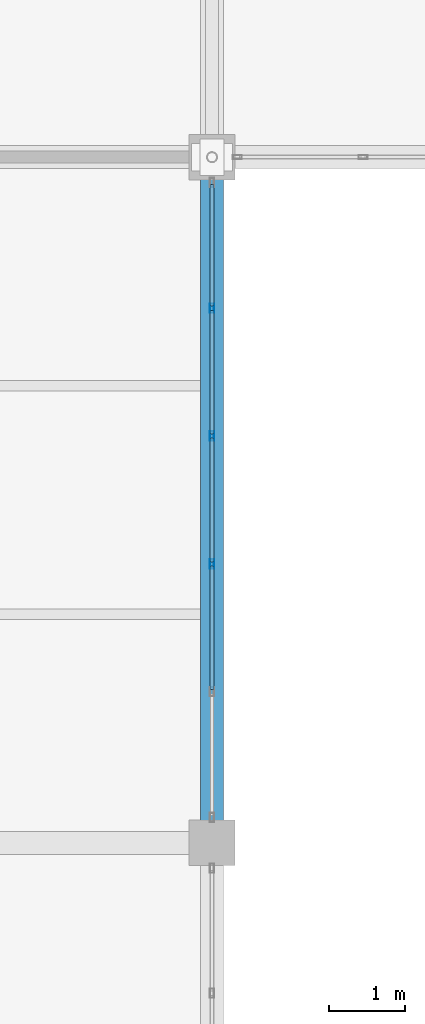
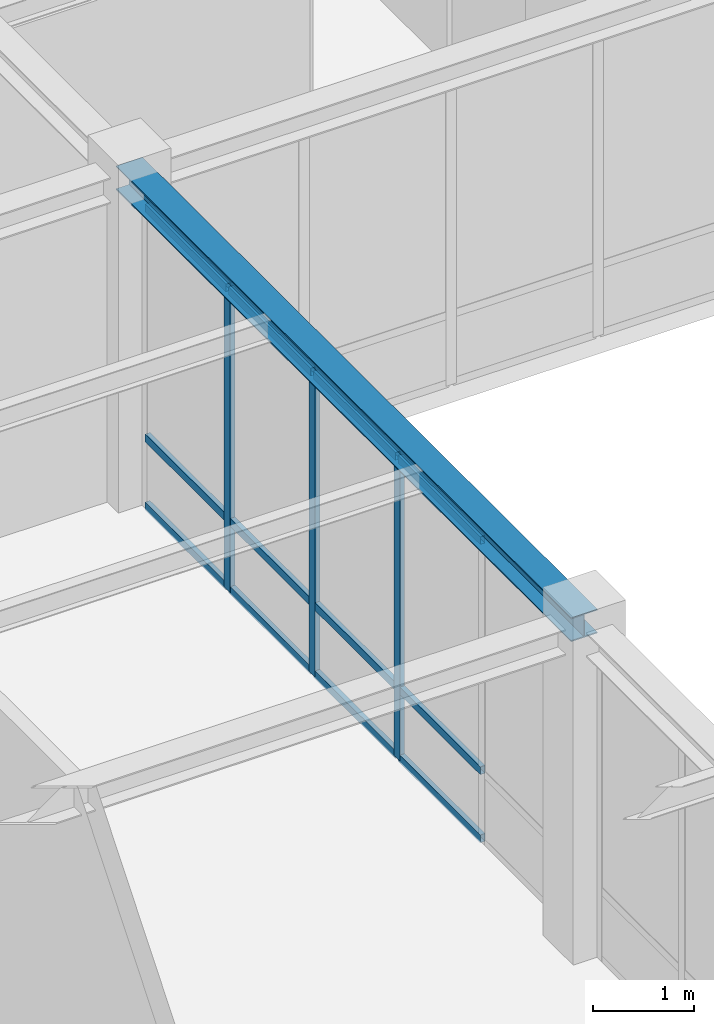
# One storey, part 36 of 130: 15 members, 1 beam, 1 element without a shape of its own.
"""IFC4 building model written with IfcOpenShell, lengths in metres."""

from ifc_helpers import new_model, si_unit, direction, frame, origin, origin_2d, place, context, subcontext, project, spatial, hollow_rectangle, i_section, extrude, material, material_profile, profile_set, type_object, element, aggregate, save


model = new_model("IFC4")

# Units and contexts
model_context = context("Model", 3, precision=1e-05, world=origin(), true_north=direction((0.0, 1.0)))
body_context = subcontext(model_context, "Body", "Model", "MODEL_VIEW")
ifc_project = project(units=[si_unit("LENGTHUNIT", "METRE"), si_unit("AREAUNIT", "SQUARE_METRE"), si_unit("VOLUMEUNIT", "CUBIC_METRE"), si_unit("PLANEANGLEUNIT", "RADIAN"), si_unit("MASSUNIT", "GRAM", prefix="KILO")], contexts=[model_context])

# Site, building, storey
site_placement = place(None, origin())
site = spatial("IfcSite", under=ifc_project, at=site_placement, CompositionType="ELEMENT")
building_placement = place(site_placement, origin())
building = spatial("IfcBuilding", under=site, at=building_placement, Name="Lykobir Media Centre", CompositionType="ELEMENT")
storey_placement = place(building_placement, frame((0.0, 0.0, 19.199951171875)))
storey = spatial("IfcBuildingStorey", under=building, at=storey_placement, Name="L04", CompositionType="ELEMENT", Elevation=19.199951171875)

# Beam
ifc_material_1 = material(Name="Steel S355", Category="steel")
ifc_material_profile_1 = material_profile(ifc_material_1, i_section(OverallWidth=0.300048828125, OverallDepth=0.2900390625, WebThickness=0.008544921875, FlangeThickness=0.013916015625, at=origin_2d()), Name="HEA 300")
ifc_profile_set_1 = profile_set([ifc_material_profile_1], Name="Steel S355")
beam_type = type_object("IfcBeamType", Name="BM-HEA300", PredefinedType="BEAM", material=ifc_profile_set_1)
beam_placement = place(storey_placement, frame((36.0, 54.0, 3.81494140625), z_axis=(0.0, 1.0, 0.0), x_axis=(-1.0, 0.0, 0.0)))
element("IfcBeam", 1, at=beam_placement, inside=storey, type_object=beam_type, Name="Beam BM-L04-0360-0540-0360-0630-2302", PredefinedType="BEAM", context=body_context, shape_type="SweptSolid", body=[
    extrude(i_section(OverallWidth=0.300048828125, OverallDepth=0.2900390625, WebThickness=0.008544921875, FlangeThickness=0.013916015625, at=origin_2d()), origin(), (0.0, 0.0, 1.0), 9.0),
])

# Curtain wall, members
ifc_material_2 = material(Name="Anodized Aluminium AW-6060", Category="aluminium")
curtain_wall_type = type_object("IfcCurtainWallType", Name="CW-COURT-B", PredefinedType="NOTDEFINED", material=ifc_material_2)
curtain_wall_placement = place(storey_placement, origin())
curtain_wall = element("IfcCurtainWall", 2, at=curtain_wall_placement, inside=storey, type_object=curtain_wall_type, Name="Curtain wall CW2-L04-0158", PredefinedType="NOTDEFINED")
ifc_material_profile_2 = material_profile(ifc_material_2, hollow_rectangle(XDim=0.054931640625, YDim=0.1201171875, WallThickness=0.003173828125, at=origin_2d()), Name="ALU MULLION 55x120")
ifc_profile_set_2 = profile_set([ifc_material_profile_2], Name="Anodized Aluminium AW-6060")
member_type_1 = type_object("IfcMemberType", Name="CWM-120", PredefinedType="MULLION", material=ifc_profile_set_2)
member_1_placement = place(storey_placement, frame((36.0, 61.01708984375, 0.0), z_axis=(0.0, 0.0, 1.0), x_axis=(1.0, 0.0, 0.0)))
member_1 = element("IfcMember", 3, at=member_1_placement, type_object=member_type_1, Name="CW2-L04-0158 mullion 2", PredefinedType="MULLION", context=body_context, shape_type="SweptSolid", body=[
    extrude(hollow_rectangle(XDim=0.054931640625, YDim=0.1201171875, WallThickness=0.003173828125, at=origin_2d()), origin(), (0.0, 0.0, 1.0), 3.655029296875),
])
member_2_placement = place(storey_placement, frame((36.0, 59.339111328125, 0.0), z_axis=(0.0, 0.0, 1.0), x_axis=(1.0, 0.0, 0.0)))
member_2 = element("IfcMember", 4, at=member_2_placement, type_object=member_type_1, Name="CW2-L04-0158 mullion 3", PredefinedType="MULLION", context=body_context, shape_type="SweptSolid", body=[
    extrude(hollow_rectangle(XDim=0.054931640625, YDim=0.1201171875, WallThickness=0.003173828125, at=origin_2d()), origin(), (0.0, 0.0, 1.0), 3.655029296875),
])
member_3_placement = place(storey_placement, frame((36.0, 57.660888671875, 0.0), z_axis=(0.0, 0.0, 1.0), x_axis=(1.0, 0.0, 0.0)))
member_3 = element("IfcMember", 5, at=member_3_placement, type_object=member_type_1, Name="CW2-L04-0158 mullion 4", PredefinedType="MULLION", context=body_context, shape_type="SweptSolid", body=[
    extrude(hollow_rectangle(XDim=0.054931640625, YDim=0.1201171875, WallThickness=0.003173828125, at=origin_2d()), origin(), (0.0, 0.0, 1.0), 3.655029296875),
])
ifc_material_profile_3 = material_profile(ifc_material_2, hollow_rectangle(XDim=0.054931640625, YDim=0.094970703125, WallThickness=0.0029296875, at=origin_2d()), Name="ALU TRANSOM 55x95")
ifc_profile_set_3 = profile_set([ifc_material_profile_3], Name="Anodized Aluminium AW-6060")
member_type_2 = type_object("IfcMemberType", Name="CWT-095", PredefinedType="USERDEFINED", material=ifc_profile_set_3)
member_4_placement = place(storey_placement, frame((36.0, 62.639892578125, 0.027587890625), z_axis=(0.0, -1.0, 0.0), x_axis=(1.0, 0.0, 0.0)))
member_4 = element("IfcMember", 6, at=member_4_placement, type_object=member_type_2, Name="CW2-L04-0158 transom 1.1", ObjectType="TRANSOM", PredefinedType="USERDEFINED", context=body_context, shape_type="SweptSolid", body=[
    extrude(hollow_rectangle(XDim=0.054931640625, YDim=0.094970703125, WallThickness=0.0029296875, at=origin_2d()), origin(), (0.0, 0.0, 1.0), 1.595458984375),
])
member_5_placement = place(storey_placement, frame((36.0, 62.639892578125, 0.85009765625), z_axis=(0.0, -1.0, 0.0), x_axis=(1.0, 0.0, 0.0)))
member_5 = element("IfcMember", 7, at=member_5_placement, type_object=member_type_2, Name="CW2-L04-0158 transom 1.2", ObjectType="TRANSOM", PredefinedType="USERDEFINED", context=body_context, shape_type="SweptSolid", body=[
    extrude(hollow_rectangle(XDim=0.054931640625, YDim=0.094970703125, WallThickness=0.0029296875, at=origin_2d()), origin(), (0.0, 0.0, 1.0), 1.595458984375),
])
member_6_placement = place(storey_placement, frame((36.0, 62.639892578125, 3.62744140625), z_axis=(0.0, -1.0, 0.0), x_axis=(1.0, 0.0, 0.0)))
member_6 = element("IfcMember", 8, at=member_6_placement, type_object=member_type_2, Name="CW2-L04-0158 transom 1.3", ObjectType="TRANSOM", PredefinedType="USERDEFINED", context=body_context, shape_type="SweptSolid", body=[
    extrude(hollow_rectangle(XDim=0.054931640625, YDim=0.094970703125, WallThickness=0.0029296875, at=origin_2d()), origin(), (0.0, 0.0, 1.0), 1.595458984375),
])
member_7_placement = place(storey_placement, frame((36.0, 60.989501953125, 0.027587890625), z_axis=(0.0, -1.0, 0.0), x_axis=(1.0, 0.0, 0.0)))
member_7 = element("IfcMember", 9, at=member_7_placement, type_object=member_type_2, Name="CW2-L04-0158 transom 2.1", ObjectType="TRANSOM", PredefinedType="USERDEFINED", context=body_context, shape_type="SweptSolid", body=[
    extrude(hollow_rectangle(XDim=0.054931640625, YDim=0.094970703125, WallThickness=0.0029296875, at=origin_2d()), origin(), (0.0, 0.0, 1.0), 1.623046875),
])
member_8_placement = place(storey_placement, frame((36.0, 60.989501953125, 0.85009765625), z_axis=(0.0, -1.0, 0.0), x_axis=(1.0, 0.0, 0.0)))
member_8 = element("IfcMember", 10, at=member_8_placement, type_object=member_type_2, Name="CW2-L04-0158 transom 2.2", ObjectType="TRANSOM", PredefinedType="USERDEFINED", context=body_context, shape_type="SweptSolid", body=[
    extrude(hollow_rectangle(XDim=0.054931640625, YDim=0.094970703125, WallThickness=0.0029296875, at=origin_2d()), origin(), (0.0, 0.0, 1.0), 1.623046875),
])
member_9_placement = place(storey_placement, frame((36.0, 60.989501953125, 3.62744140625), z_axis=(0.0, -1.0, 0.0), x_axis=(1.0, 0.0, 0.0)))
member_9 = element("IfcMember", 11, at=member_9_placement, type_object=member_type_2, Name="CW2-L04-0158 transom 2.3", ObjectType="TRANSOM", PredefinedType="USERDEFINED", context=body_context, shape_type="SweptSolid", body=[
    extrude(hollow_rectangle(XDim=0.054931640625, YDim=0.094970703125, WallThickness=0.0029296875, at=origin_2d()), origin(), (0.0, 0.0, 1.0), 1.623046875),
])
member_10_placement = place(storey_placement, frame((36.0, 59.3115234375, 0.027587890625), z_axis=(0.0, -1.0, 0.0), x_axis=(1.0, 0.0, 0.0)))
member_10 = element("IfcMember", 12, at=member_10_placement, type_object=member_type_2, Name="CW2-L04-0158 transom 3.1", ObjectType="TRANSOM", PredefinedType="USERDEFINED", context=body_context, shape_type="SweptSolid", body=[
    extrude(hollow_rectangle(XDim=0.054931640625, YDim=0.094970703125, WallThickness=0.0029296875, at=origin_2d()), origin(), (0.0, 0.0, 1.0), 1.623046875),
])
member_11_placement = place(storey_placement, frame((36.0, 59.3115234375, 0.85009765625), z_axis=(0.0, -1.0, 0.0), x_axis=(1.0, 0.0, 0.0)))
member_11 = element("IfcMember", 13, at=member_11_placement, type_object=member_type_2, Name="CW2-L04-0158 transom 3.2", ObjectType="TRANSOM", PredefinedType="USERDEFINED", context=body_context, shape_type="SweptSolid", body=[
    extrude(hollow_rectangle(XDim=0.054931640625, YDim=0.094970703125, WallThickness=0.0029296875, at=origin_2d()), origin(), (0.0, 0.0, 1.0), 1.623046875),
])
member_12_placement = place(storey_placement, frame((36.0, 59.3115234375, 3.62744140625), z_axis=(0.0, -1.0, 0.0), x_axis=(1.0, 0.0, 0.0)))
member_12 = element("IfcMember", 14, at=member_12_placement, type_object=member_type_2, Name="CW2-L04-0158 transom 3.3", ObjectType="TRANSOM", PredefinedType="USERDEFINED", context=body_context, shape_type="SweptSolid", body=[
    extrude(hollow_rectangle(XDim=0.054931640625, YDim=0.094970703125, WallThickness=0.0029296875, at=origin_2d()), origin(), (0.0, 0.0, 1.0), 1.623046875),
])
member_13_placement = place(storey_placement, frame((36.0, 57.633544921875, 0.027587890625), z_axis=(0.0, -1.0, 0.0), x_axis=(1.0, 0.0, 0.0)))
member_13 = element("IfcMember", 15, at=member_13_placement, type_object=member_type_2, Name="CW2-L04-0158 transom 4.1", ObjectType="TRANSOM", PredefinedType="USERDEFINED", context=body_context, shape_type="SweptSolid", body=[
    extrude(hollow_rectangle(XDim=0.054931640625, YDim=0.094970703125, WallThickness=0.0029296875, at=origin_2d()), origin(), (0.0, 0.0, 1.0), 1.623046875),
])
member_14_placement = place(storey_placement, frame((36.0, 57.633544921875, 0.85009765625), z_axis=(0.0, -1.0, 0.0), x_axis=(1.0, 0.0, 0.0)))
member_14 = element("IfcMember", 16, at=member_14_placement, type_object=member_type_2, Name="CW2-L04-0158 transom 4.2", ObjectType="TRANSOM", PredefinedType="USERDEFINED", context=body_context, shape_type="SweptSolid", body=[
    extrude(hollow_rectangle(XDim=0.054931640625, YDim=0.094970703125, WallThickness=0.0029296875, at=origin_2d()), origin(), (0.0, 0.0, 1.0), 1.623046875),
])
member_15_placement = place(storey_placement, frame((36.0, 57.633544921875, 3.62744140625), z_axis=(0.0, -1.0, 0.0), x_axis=(1.0, 0.0, 0.0)))
member_15 = element("IfcMember", 17, at=member_15_placement, type_object=member_type_2, Name="CW2-L04-0158 transom 4.3", ObjectType="TRANSOM", PredefinedType="USERDEFINED", context=body_context, shape_type="SweptSolid", body=[
    extrude(hollow_rectangle(XDim=0.054931640625, YDim=0.094970703125, WallThickness=0.0029296875, at=origin_2d()), origin(), (0.0, 0.0, 1.0), 1.623046875),
])
aggregate(curtain_wall, [member_1, member_2, member_3, member_4, member_5, member_6, member_7, member_8, member_9, member_10, member_11, member_12, member_13, member_14, member_15])

save(model, "model.ifc")
